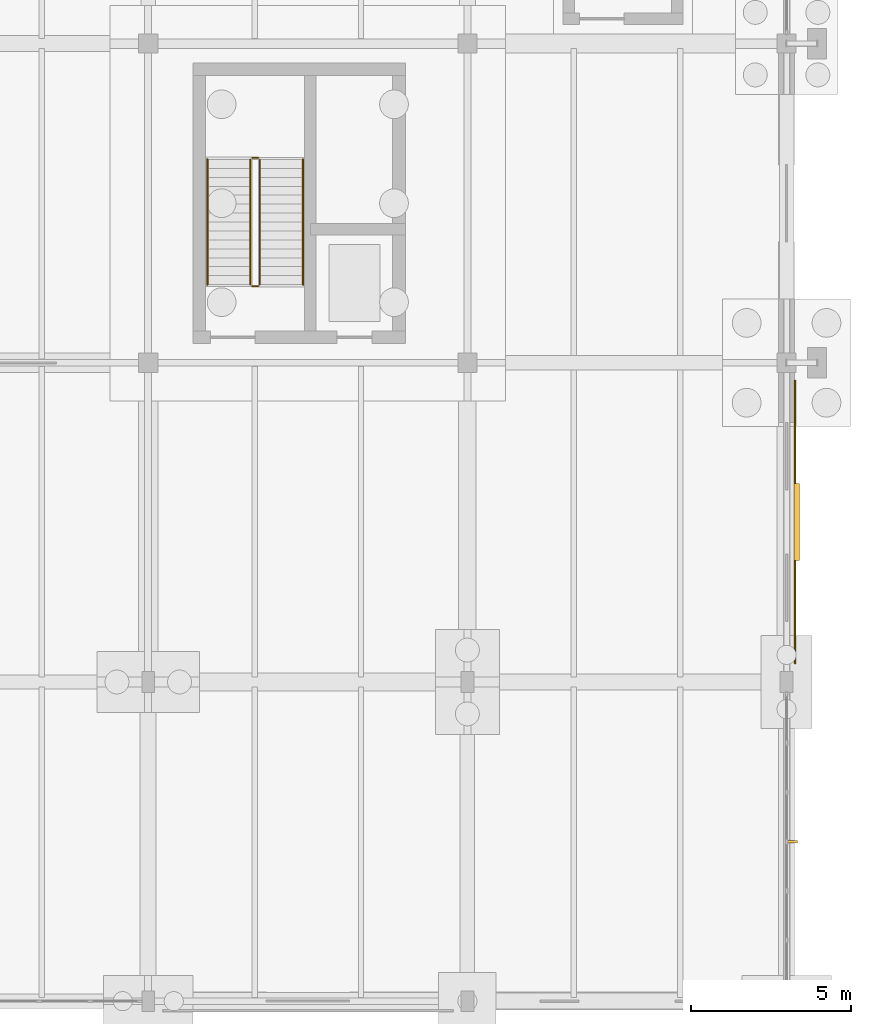
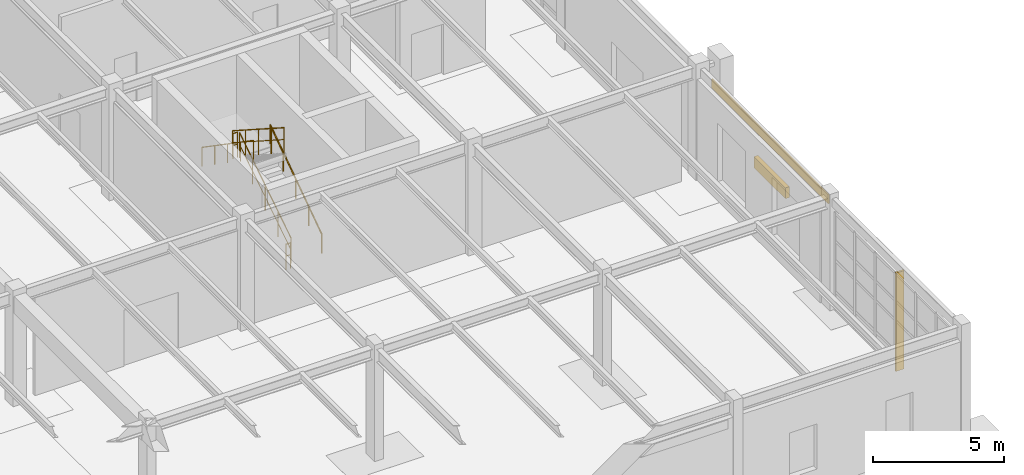
# One storey, part 140 of 145: 6 railings, 2 shading devices, 1 covering.
"""IFC4 building model written with IfcOpenShell, lengths in metres."""

from ifc_helpers import new_model, si_unit, direction, frame, origin, origin_2d, place, context, subcontext, project, spatial, polyline, rectangle, circle, outline, extrude, material, layer, layer_set, type_object, element, save


model = new_model("IFC4")

# Units and contexts
model_context = context("Model", 3, precision=1e-05, world=origin(), true_north=direction((0.0, 1.0)))
body_context = subcontext(model_context, "Body", "Model", "MODEL_VIEW")
ifc_project = project(units=[si_unit("LENGTHUNIT", "METRE"), si_unit("AREAUNIT", "SQUARE_METRE"), si_unit("VOLUMEUNIT", "CUBIC_METRE"), si_unit("PLANEANGLEUNIT", "RADIAN"), si_unit("MASSUNIT", "GRAM", prefix="KILO"), si_unit("THERMODYNAMICTEMPERATUREUNIT", "KELVIN"), si_unit("POWERUNIT", "WATT")], contexts=[model_context])

# Site, building, storey
site_placement = place(None, origin())
site = spatial("IfcSite", under=ifc_project, at=site_placement, CompositionType="ELEMENT")
building_placement = place(site_placement, origin())
building = spatial("IfcBuilding", under=site, at=building_placement, Name="Korenveer Ferry Terminal", CompositionType="ELEMENT")
storey_placement = place(building_placement, origin())
storey = spatial("IfcBuildingStorey", under=building, at=storey_placement, Name="L00", CompositionType="ELEMENT", Elevation=0.0)

# Covering
ifc_material_1 = material(Name="Carved Belgian bluestone spandrel cladding", Category="masonry")
ifc_layer = layer(ifc_material_1, 0.050048828125)
ifc_layer_set = layer_set([ifc_layer], Name="Carved Belgian bluestone spandrel cladding")
covering_type = type_object("IfcCoveringType", Name="ENV-COV-STONE", PredefinedType="CLADDING", material=ifc_layer_set)
covering_placement = place(storey_placement, frame((0.0, 0.0, 4.27001953125)))
element("IfcCovering", 1, at=covering_placement, inside=storey, type_object=covering_type, Name="Belgian bluestone spandrel band 11", PredefinedType="CLADDING", context=body_context, shape_type="SweptSolid", body=[
    extrude(outline(polyline([(176.2451171875, 10.574951171875), (176.294921875, 10.574951171875), (176.294921875, 19.449951171875), (176.2451171875, 19.449951171875), (176.2451171875, 10.574951171875)])), origin(), (0.0, 0.0, 1.0), 0.419921875),
])

# Shading devices
ifc_material_2 = material(Name="Anodised bronze aluminium solar fin", Category="aluminium")
shading_device_type_1 = type_object("IfcShadingDeviceType", Name="ENV-SHD-FIN", PredefinedType="JALOUSIE", material=ifc_material_2)
shading_device_1_placement = place(storey_placement, frame((176.159912109375, 5.0, -0.02001953125), z_axis=(0.0, 0.0, 1.0), x_axis=(1.0, 0.0, 0.0)))
element("IfcShadingDevice", 2, at=shading_device_1_placement, inside=storey, type_object=shading_device_type_1, Name="Gothic solar fin 15", PredefinedType="JALOUSIE", context=body_context, shape_type="SweptSolid", body=[
    extrude(rectangle(XDim=0.360107421875, YDim=0.080078125, at=origin_2d()), origin(), (0.0, 0.0, 1.0), 4.570068359375),
])
ifc_material_3 = material(Name="Anodised bronze aluminium acoustic louvre", Category="aluminium")
shading_device_type_2 = type_object("IfcShadingDeviceType", Name="ENV-SHD-LVR", PredefinedType="SHUTTER", material=ifc_material_3)
shading_device_2_placement = place(storey_placement, frame((176.320068359375, 15.012451171875, 2.550048828125), z_axis=(0.0, 0.0, 1.0), x_axis=(0.0, 1.0, 0.0)))
element("IfcShadingDevice", 3, at=shading_device_2_placement, inside=storey, type_object=shading_device_type_2, Name="Plant facade intake louvre 4", PredefinedType="SHUTTER", context=body_context, shape_type="SweptSolid", body=[
    extrude(rectangle(XDim=2.39990234375, YDim=0.179931640625, at=origin_2d()), origin(), (0.0, 0.0, 1.0), 0.5),
])

# Railings
ifc_material_4 = material(Name="Brushed stainless steel handrail", Category="steel")
railing_type_1 = type_object("IfcRailingType", Name="INT-RL-HND90", PredefinedType="HANDRAIL", material=ifc_material_4)
railing_1_placement = place(storey_placement, frame((160.85009765625, 22.449951171875, 0.179931640625)))
element("IfcRailing", 4, at=railing_1_placement, inside=storey, type_object=railing_type_1, Name="L00 ST03 stair handrail 1", PredefinedType="HANDRAIL", context=body_context, shape_type="SweptSolid", body=[
    extrude(circle(Radius=0.02392578125, at=origin_2d()), frame((0.0, 0.0, 0.8759765625), z_axis=(0.0, 0.823567234665, 0.567218661528), x_axis=(-1.0, 0.0, 0.0)), (0.0, 0.0, 1.0), 4.760009765625),
    extrude(circle(Radius=0.02099609375, at=origin_2d()), origin(), (0.0, 0.0, 1.0), 0.851806640625),
    extrude(circle(Radius=0.02099609375, at=origin_2d()), frame((0.0, 0.97998046875, 0.675048828125)), (0.0, 0.0, 1.0), 0.851806640625),
    extrude(circle(Radius=0.02099609375, at=origin_2d()), frame((0.0, 1.9599609375, 1.35009765625)), (0.0, 0.0, 1.0), 0.851806640625),
    extrude(circle(Radius=0.02099609375, at=origin_2d()), frame((0.0, 2.940185546875, 2.02490234375)), (0.0, 0.0, 1.0), 0.851806640625),
    extrude(circle(Radius=0.02099609375, at=origin_2d()), frame((0.0, 3.920166015625, 2.699951171875)), (0.0, 0.0, 1.0), 0.851806640625),
])
railing_2_placement = place(storey_placement, frame((157.85009765625, 26.3701171875, 2.8798828125)))
element("IfcRailing", 5, at=railing_2_placement, inside=storey, type_object=railing_type_1, Name="L00 ST03 stair handrail 2", PredefinedType="HANDRAIL", context=body_context, shape_type="SweptSolid", body=[
    extrude(circle(Radius=0.02392578125, at=origin_2d()), frame((0.0, 0.0, 0.8759765625), z_axis=(0.0, -0.82354327477, 0.567253448276), x_axis=(1.0, 0.0, 0.0)), (0.0, 0.0, 1.0), 4.760009765625),
    extrude(circle(Radius=0.02099609375, at=origin_2d()), origin(), (0.0, 0.0, 1.0), 0.851806640625),
    extrude(circle(Radius=0.02099609375, at=origin_2d()), frame((0.0, -0.97998046875, 0.675048828125)), (0.0, 0.0, 1.0), 0.851806640625),
    extrude(circle(Radius=0.02099609375, at=origin_2d()), frame((0.0, -1.9599609375, 1.35009765625)), (0.0, 0.0, 1.0), 0.851806640625),
    extrude(circle(Radius=0.02099609375, at=origin_2d()), frame((0.0, -2.940185546875, 2.025146484375)), (0.0, 0.0, 1.0), 0.851806640625),
    extrude(circle(Radius=0.02099609375, at=origin_2d()), frame((0.0, -3.920166015625, 2.7001953125)), (0.0, 0.0, 1.0), 0.851806640625),
])
ifc_material_5 = material(Name="Painted steel stair guard", Category="steel")
railing_type_2 = type_object("IfcRailingType", Name="INT-RL-STGRD", PredefinedType="GUARDRAIL", material=ifc_material_5)
railing_3_placement = place(storey_placement, frame((159.5, 22.449951171875, 0.179931640625)))
element("IfcRailing", 6, at=railing_3_placement, inside=storey, type_object=railing_type_2, Name="L00 ST03 stair guard 1", PredefinedType="GUARDRAIL", context=body_context, shape_type="SweptSolid", body=[
    extrude(circle(Radius=0.02392578125, at=origin_2d()), frame((0.0, 0.0, 1.17578125), z_axis=(0.0, 0.841186985886, 0.540744352514), x_axis=(-1.0, 0.0, 0.0)), (0.0, 0.0, 1.0), 4.660400390625),
    extrude(circle(Radius=0.01806640625, at=origin_2d()), frame((0.0, 0.0, 0.6240234375), z_axis=(0.0, 0.841186985886, 0.540744352514), x_axis=(-1.0, 0.0, 0.0)), (0.0, 0.0, 1.0), 4.660400390625),
    extrude(circle(Radius=0.02099609375, at=origin_2d()), origin(), (0.0, 0.0, 1.0), 1.15185546875),
    extrude(circle(Radius=0.02099609375, at=origin_2d()), frame((0.0, 0.97998046875, 0.6298828125)), (0.0, 0.0, 1.0), 1.15185546875),
    extrude(circle(Radius=0.02099609375, at=origin_2d()), frame((0.0, 1.9599609375, 1.260009765625)), (0.0, 0.0, 1.0), 1.15185546875),
    extrude(circle(Radius=0.02099609375, at=origin_2d()), frame((0.0, 2.940185546875, 1.89013671875)), (0.0, 0.0, 1.0), 1.15185546875),
    extrude(circle(Radius=0.02099609375, at=origin_2d()), frame((0.0, 3.920166015625, 2.52001953125)), (0.0, 0.0, 1.0), 1.15185546875),
])
railing_4_placement = place(storey_placement, frame((159.449951171875, 26.419921875, 2.699951171875)))
element("IfcRailing", 7, at=railing_4_placement, inside=storey, type_object=railing_type_2, Name="L00 ST03 stair guard 2", PredefinedType="GUARDRAIL", context=body_context, shape_type="SweptSolid", body=[
    extrude(circle(Radius=0.02392578125, at=origin_2d()), frame((0.0, 0.0, 1.17578125), z_axis=(-1.0, 0.0, 0.0), x_axis=(0.0, -1.0, 0.0)), (0.0, 0.0, 1.0), 0.199951171875),
    extrude(circle(Radius=0.01806640625, at=origin_2d()), frame((0.0, 0.0, 0.6240234375), z_axis=(-1.0, 0.0, 0.0), x_axis=(0.0, -1.0, 0.0)), (0.0, 0.0, 1.0), 0.199951171875),
    extrude(circle(Radius=0.02099609375, at=origin_2d()), origin(), (0.0, 0.0, 1.0), 1.15185546875),
    extrude(circle(Radius=0.02099609375, at=origin_2d()), frame((-0.199951171875, 0.0, 0.0)), (0.0, 0.0, 1.0), 1.15185546875),
])
railing_5_placement = place(storey_placement, frame((159.199951171875, 26.3701171875, 2.8798828125)))
element("IfcRailing", 8, at=railing_5_placement, inside=storey, type_object=railing_type_2, Name="L00 ST03 stair guard 3", PredefinedType="GUARDRAIL", context=body_context, shape_type="SweptSolid", body=[
    extrude(circle(Radius=0.02392578125, at=origin_2d()), frame((0.0, 0.0, 1.17578125), z_axis=(0.0, -0.841186985886, 0.540744352514), x_axis=(1.0, 0.0, 0.0)), (0.0, 0.0, 1.0), 4.660400390625),
    extrude(circle(Radius=0.01806640625, at=origin_2d()), frame((0.0, 0.0, 0.6240234375), z_axis=(0.0, -0.841186985886, 0.540744352514), x_axis=(1.0, 0.0, 0.0)), (0.0, 0.0, 1.0), 4.660400390625),
    extrude(circle(Radius=0.02099609375, at=origin_2d()), origin(), (0.0, 0.0, 1.0), 1.15185546875),
    extrude(circle(Radius=0.02099609375, at=origin_2d()), frame((0.0, -0.97998046875, 0.6298828125)), (0.0, 0.0, 1.0), 1.15185546875),
    extrude(circle(Radius=0.02099609375, at=origin_2d()), frame((0.0, -1.9599609375, 1.260009765625)), (0.0, 0.0, 1.0), 1.15185546875),
    extrude(circle(Radius=0.02099609375, at=origin_2d()), frame((0.0, -2.940185546875, 1.89013671875)), (0.0, 0.0, 1.0), 1.15185546875),
    extrude(circle(Radius=0.02099609375, at=origin_2d()), frame((0.0, -3.920166015625, 2.52001953125)), (0.0, 0.0, 1.0), 1.15185546875),
])
railing_6_placement = place(storey_placement, frame((159.449951171875, 22.39990234375, 0.0)))
element("IfcRailing", 9, at=railing_6_placement, inside=storey, type_object=railing_type_2, Name="L00 ST03 stair guard 4", PredefinedType="GUARDRAIL", context=body_context, shape_type="SweptSolid", body=[
    extrude(circle(Radius=0.02392578125, at=origin_2d()), frame((0.0, 0.0, 1.17578125), z_axis=(-1.0, 0.0, 0.0), x_axis=(0.0, -1.0, 0.0)), (0.0, 0.0, 1.0), 0.199951171875),
    extrude(circle(Radius=0.01806640625, at=origin_2d()), frame((0.0, 0.0, 0.6240234375), z_axis=(-1.0, 0.0, 0.0), x_axis=(0.0, -1.0, 0.0)), (0.0, 0.0, 1.0), 0.199951171875),
    extrude(circle(Radius=0.02099609375, at=origin_2d()), origin(), (0.0, 0.0, 1.0), 1.15185546875),
    extrude(circle(Radius=0.02099609375, at=origin_2d()), frame((-0.199951171875, 0.0, 0.0)), (0.0, 0.0, 1.0), 1.15185546875),
])

save(model, "model.ifc")
